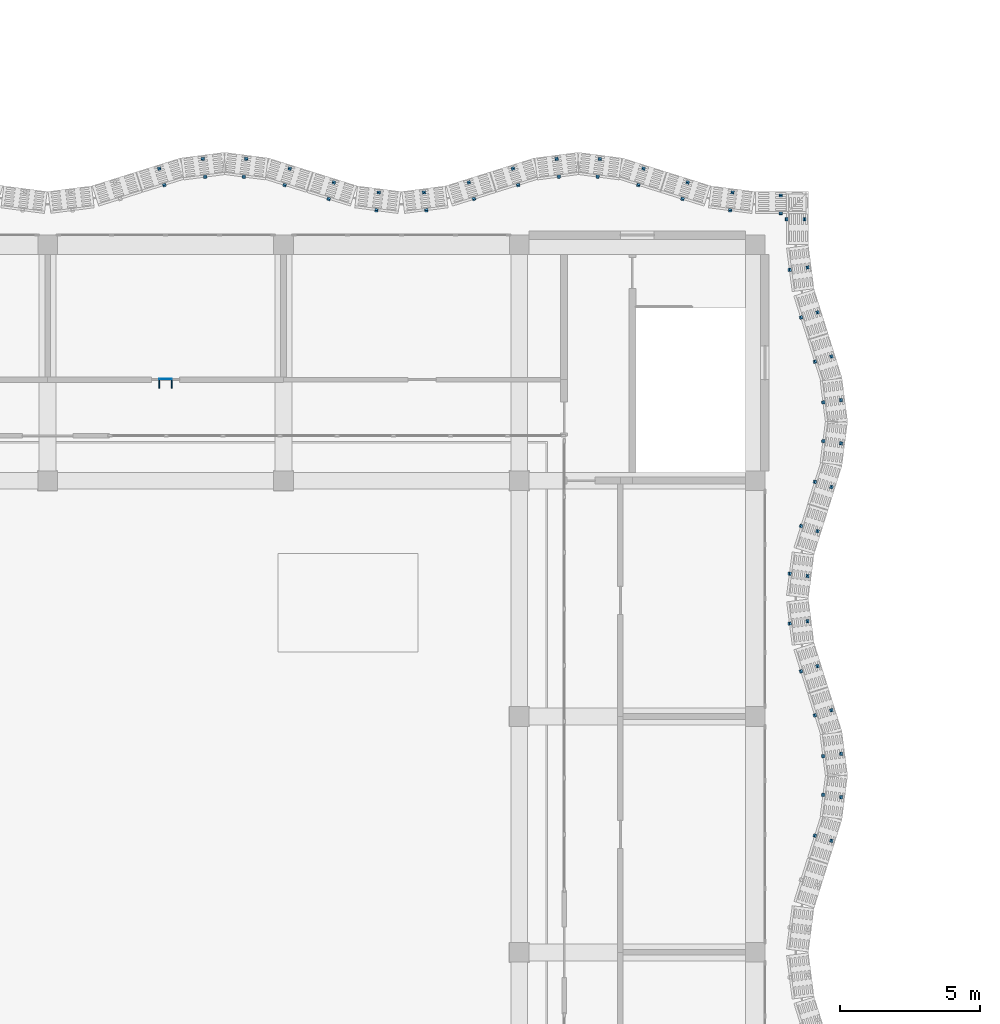
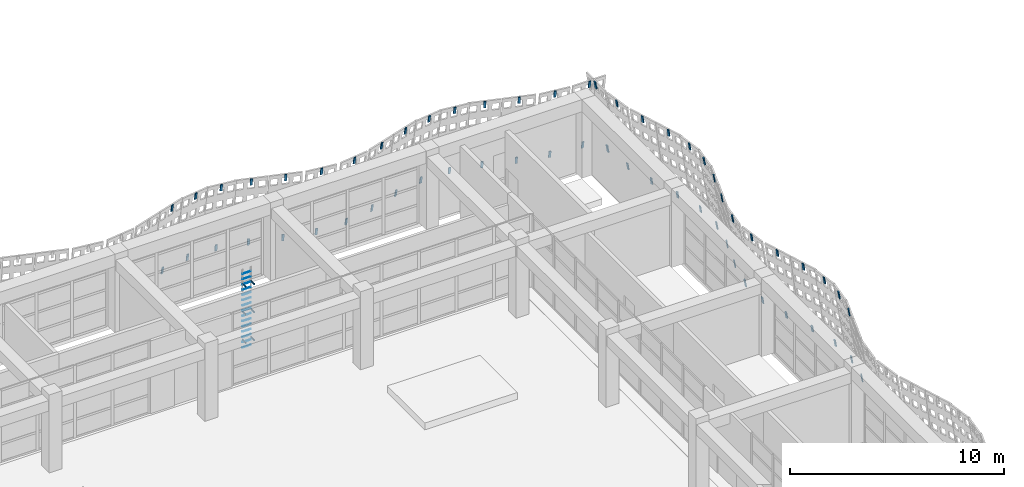
# One storey, part 57 of 85: 81 discrete accessories.
"""IFC4 building model written with IfcOpenShell, lengths in metres."""

from ifc_helpers import new_model, si_unit, direction, frame, origin, origin_2d, place, context, subcontext, project, spatial, rectangle, extrude, material, material_profile, profile_set, type_object, element, save


model = new_model("IFC4")

# Units and contexts
model_context = context("Model", 3, precision=1e-05, world=origin(), true_north=direction((0.0, 1.0)))
body_context = subcontext(model_context, "Body", "Model", "MODEL_VIEW")
ifc_project = project(units=[si_unit("LENGTHUNIT", "METRE"), si_unit("AREAUNIT", "SQUARE_METRE"), si_unit("VOLUMEUNIT", "CUBIC_METRE"), si_unit("PLANEANGLEUNIT", "RADIAN"), si_unit("MASSUNIT", "GRAM", prefix="KILO")], contexts=[model_context])

# Site, building, storey
site_placement = place(None, origin())
site = spatial("IfcSite", under=ifc_project, at=site_placement, CompositionType="ELEMENT")
building_placement = place(site_placement, origin())
building = spatial("IfcBuilding", under=site, at=building_placement, Name="Rain Tree Exposition and Congress Centre", CompositionType="ELEMENT")
storey_placement = place(building_placement, frame((0.0, 0.0, 15.0)))
storey = spatial("IfcBuildingStorey", under=building, at=storey_placement, Name="L03", CompositionType="ELEMENT", Elevation=15.0)

# Discrete accessories
ifc_material_1 = material(Name="Steel S355J2", Category="steel")
discrete_accessory_type_1 = type_object("IfcDiscreteAccessoryType", Name="Ladder bracket 40x300", PredefinedType="BRACKET", material=ifc_material_1)
for number, where, z_axis, x_axis, name in (
    (1, (29.175048828125, 45.45751953125, 0.77001953125), (0.0, 0.0, 1.0), (1.0, 0.0, 0.0), "wing/ladder/bracket/w1"),
    (2, (29.625, 45.45751953125, 0.77001953125), (0.0, 0.0, 1.0), (1.0, 0.0, 0.0), "wing/ladder/bracket/e1"),
    (3, (29.175048828125, 45.45751953125, 2.369873046875), (0.0, 0.0, 1.0), (1.0, 0.0, 0.0), "wing/ladder/bracket/w2"),
    (4, (29.625, 45.45751953125, 2.369873046875), (0.0, 0.0, 1.0), (1.0, 0.0, 0.0), "wing/ladder/bracket/e2"),
    (5, (29.175048828125, 45.45751953125, 3.969970703125), (0.0, 0.0, 1.0), (1.0, 0.0, 0.0), "wing/ladder/bracket/w3"),
    (6, (29.625, 45.45751953125, 3.969970703125), (0.0, 0.0, 1.0), (1.0, 0.0, 0.0), "wing/ladder/bracket/e3"),
):
    element("IfcDiscreteAccessory", number, at=place(storey_placement, frame(where, z_axis=z_axis, x_axis=x_axis)), inside=storey, type_object=discrete_accessory_type_1, Name=name, PredefinedType="BRACKET", context=body_context, shape_type="SweptSolid", body=[
        extrude(rectangle(XDim=0.0400390625, YDim=0.31494140625, at=origin_2d()), origin(), (0.0, 0.0, 1.0), 0.06005859375),
    ])
ifc_material_2 = material(Name="Steel S355J2", Category="steel")
discrete_accessory_type_2 = type_object("IfcDiscreteAccessoryType", Name="Ladder rung 20x450", PredefinedType="USERDEFINED", material=ifc_material_2)
for number, where, z_axis, x_axis, name in (
    (7, (29.39990234375, 45.6201171875, 0.340087890625), (0.0, 0.0, 1.0), (1.0, 0.0, 0.0), "wing/ladder/rung/01"),
    (8, (29.39990234375, 45.6201171875, 0.639892578125), (0.0, 0.0, 1.0), (1.0, 0.0, 0.0), "wing/ladder/rung/02"),
    (9, (29.39990234375, 45.6201171875, 0.93994140625), (0.0, 0.0, 1.0), (1.0, 0.0, 0.0), "wing/ladder/rung/03"),
    (10, (29.39990234375, 45.6201171875, 1.239990234375), (0.0, 0.0, 1.0), (1.0, 0.0, 0.0), "wing/ladder/rung/04"),
    (11, (29.39990234375, 45.6201171875, 1.5400390625), (0.0, 0.0, 1.0), (1.0, 0.0, 0.0), "wing/ladder/rung/05"),
    (12, (29.39990234375, 45.6201171875, 1.840087890625), (0.0, 0.0, 1.0), (1.0, 0.0, 0.0), "wing/ladder/rung/06"),
    (13, (29.39990234375, 45.6201171875, 2.139892578125), (0.0, 0.0, 1.0), (1.0, 0.0, 0.0), "wing/ladder/rung/07"),
    (14, (29.39990234375, 45.6201171875, 2.43994140625), (0.0, 0.0, 1.0), (1.0, 0.0, 0.0), "wing/ladder/rung/08"),
    (15, (29.39990234375, 45.6201171875, 2.739990234375), (0.0, 0.0, 1.0), (1.0, 0.0, 0.0), "wing/ladder/rung/09"),
    (16, (29.39990234375, 45.6201171875, 3.0400390625), (0.0, 0.0, 1.0), (1.0, 0.0, 0.0), "wing/ladder/rung/10"),
    (17, (29.39990234375, 45.6201171875, 3.340087890625), (0.0, 0.0, 1.0), (1.0, 0.0, 0.0), "wing/ladder/rung/11"),
    (18, (29.39990234375, 45.6201171875, 3.639892578125), (0.0, 0.0, 1.0), (1.0, 0.0, 0.0), "wing/ladder/rung/12"),
    (19, (29.39990234375, 45.6201171875, 3.93994140625), (0.0, 0.0, 1.0), (1.0, 0.0, 0.0), "wing/ladder/rung/13"),
    (20, (29.39990234375, 45.6201171875, 4.239990234375), (0.0, 0.0, 1.0), (1.0, 0.0, 0.0), "wing/ladder/rung/14"),
    (21, (29.39990234375, 45.6201171875, 4.5400390625), (0.0, 0.0, 1.0), (1.0, 0.0, 0.0), "wing/ladder/rung/15"),
):
    element("IfcDiscreteAccessory", number, at=place(storey_placement, frame(where, z_axis=z_axis, x_axis=x_axis)), inside=storey, type_object=discrete_accessory_type_2, Name=name, ObjectType="Ladder rung", PredefinedType="USERDEFINED", context=body_context, shape_type="SweptSolid", body=[
        extrude(rectangle(XDim=0.449951171875, YDim=0.02001953125, at=origin_2d()), origin(), (0.0, 0.0, 1.0), 0.02001953125),
    ])
ifc_material_3 = material(Name="Steel S355J2", Category="steel")
ifc_material_profile = material_profile(ifc_material_3, rectangle(XDim=0.1201171875, YDim=0.050048828125, at=origin_2d()), Name="Flat bar 120x50")
ifc_profile_set = profile_set([ifc_material_profile], Name="Steel S355J2")
discrete_accessory_type_3 = type_object("IfcDiscreteAccessoryType", Name="Screen bracket 120x50", PredefinedType="BRACKET", material=ifc_profile_set)
discrete_accessory_1_placement = place(storey_placement, frame((52.5595703125, 29.35009765625, 3.85107421875), z_axis=(-0.150738237635, 0.047601548727, 0.987426997946), x_axis=(-0.301131367937, -0.953582665134, 0.0)))
element("IfcDiscreteAccessory", 22, at=discrete_accessory_1_placement, inside=storey, type_object=discrete_accessory_type_3, Name="wing/bracket/L03/0531t", PredefinedType="BRACKET", context=body_context, shape_type="SweptSolid", body=[
    extrude(rectangle(XDim=0.1201171875, YDim=0.050048828125, at=origin_2d()), origin(), (0.0, 0.0, 1.0), 0.400146484375),
])
for number, where, z_axis, x_axis, name in (
    (23, (53.146484375, 29.16552734375, 0.00390625), (-0.150141745877, 0.047605919425, 0.987517661908), (-0.302243860734, -0.953230637699, 0.0), "wing/bracket/L03/0531b"),
    (24, (52.85888671875, 30.806884765625, 3.851318359375), (-0.162381270396, 0.021365956631, 0.986496740452), (-0.130454512571, -0.991454295543, 0.0), "wing/bracket/L03/0541t"),
    (25, (53.493408203125, 30.724365234375, 0.004150390625), (-0.162975541524, 0.021363835031, 0.986398783159), (-0.129974188098, -0.991517377774, 0.0), "wing/bracket/L03/0541b"),
    (26, (52.85888671875, 32.193115234375, 3.851318359375), (-0.162381270396, -0.021365956631, 0.986496740452), (0.130454512571, -0.991454295543, 0.0), "wing/bracket/L03/0551t"),
    (27, (53.493408203125, 32.275634765625, 0.004150390625), (-0.162975541524, -0.021363835031, 0.986398783159), (0.129974188098, -0.991517377774, 0.0), "wing/bracket/L03/0551b"),
):
    element("IfcDiscreteAccessory", number, at=place(storey_placement, frame(where, z_axis=z_axis, x_axis=x_axis)), inside=storey, type_object=discrete_accessory_type_3, Name=name, PredefinedType="BRACKET", context=body_context, shape_type="SweptSolid", body=[
        extrude(rectangle(XDim=0.1201171875, YDim=0.050048828125, at=origin_2d()), origin(), (0.0, 0.0, 1.0), 0.39990234375),
    ])
discrete_accessory_2_placement = place(storey_placement, frame((52.5595703125, 33.64990234375, 3.85107421875), z_axis=(-0.150738237635, -0.047601548727, 0.987426997946), x_axis=(0.301131367937, -0.953582665134, 0.0)))
element("IfcDiscreteAccessory", 28, at=discrete_accessory_2_placement, inside=storey, type_object=discrete_accessory_type_3, Name="wing/bracket/L03/0561t", PredefinedType="BRACKET", context=body_context, shape_type="SweptSolid", body=[
    extrude(rectangle(XDim=0.1201171875, YDim=0.050048828125, at=origin_2d()), origin(), (0.0, 0.0, 1.0), 0.400146484375),
])
for number, where, z_axis, x_axis, name in (
    (29, (53.146484375, 33.83447265625, 0.00390625), (-0.150141745877, -0.047605919425, 0.987517661908), (0.302243860734, -0.953230637699, 0.0), "wing/bracket/L03/0561b"),
    (30, (52.0654296875, 35.221435546875, 3.85107421875), (-0.150146080534, -0.046996943907, 0.987546171966), (0.298716747751, -0.954341817491, 0.0), "wing/bracket/L03/0571t"),
):
    element("IfcDiscreteAccessory", number, at=place(storey_placement, frame(where, z_axis=z_axis, x_axis=x_axis)), inside=storey, type_object=discrete_accessory_type_3, Name=name, PredefinedType="BRACKET", context=body_context, shape_type="SweptSolid", body=[
        extrude(rectangle(XDim=0.1201171875, YDim=0.050048828125, at=origin_2d()), origin(), (0.0, 0.0, 1.0), 0.39990234375),
    ])
discrete_accessory_3_placement = place(storey_placement, frame((52.652587890625, 35.406005859375, 0.00390625), z_axis=(-0.150742588713, -0.04699262887, 0.987455500152), x_axis=(0.297614686764, -0.954686073127, 0.0)))
element("IfcDiscreteAccessory", 31, at=discrete_accessory_3_placement, inside=storey, type_object=discrete_accessory_type_3, Name="wing/bracket/L03/0571b", PredefinedType="BRACKET", context=body_context, shape_type="SweptSolid", body=[
    extrude(rectangle(XDim=0.1201171875, YDim=0.050048828125, at=origin_2d()), origin(), (0.0, 0.0, 1.0), 0.400146484375),
])
for number, where, z_axis, x_axis, name in (
    (32, (51.664306640625, 36.91650390625, 3.851318359375), (-0.162975541524, -0.021363835031, 0.986398783159), (0.129974188098, -0.991517377774, 0.0), "wing/bracket/L03/0581t"),
    (33, (52.298583984375, 36.998779296875, 0.004150390625), (-0.162977636468, -0.020753706516, 0.986411462665), (0.12632075382, -0.991989449114, 0.0), "wing/bracket/L03/0581b"),
    (34, (51.664306640625, 38.68359375, 3.851318359375), (-0.162975541524, 0.021363835031, 0.986398783159), (-0.129974188098, -0.991517377774, 0.0), "wing/bracket/L03/0591t"),
    (35, (52.298583984375, 38.60107421875, 0.004150390625), (-0.162975541524, 0.021363835031, 0.986398783159), (-0.129974188098, -0.991517377774, 0.0), "wing/bracket/L03/0591b"),
    (36, (52.0654296875, 40.37841796875, 3.85107421875), (-0.150141745877, 0.047605919425, 0.987517661908), (-0.302243860734, -0.953230637699, 0.0), "wing/bracket/L03/0601t"),
):
    element("IfcDiscreteAccessory", number, at=place(storey_placement, frame(where, z_axis=z_axis, x_axis=x_axis)), inside=storey, type_object=discrete_accessory_type_3, Name=name, PredefinedType="BRACKET", context=body_context, shape_type="SweptSolid", body=[
        extrude(rectangle(XDim=0.1201171875, YDim=0.050048828125, at=origin_2d()), origin(), (0.0, 0.0, 1.0), 0.39990234375),
    ])
for number, where, z_axis, x_axis, name in (
    (37, (52.652587890625, 40.194091796875, 0.00390625), (-0.150742588713, 0.04699262887, 0.987455500152), (-0.297614686764, -0.954686073127, 0.0), "wing/bracket/L03/0601b"),
    (38, (52.5595703125, 41.9501953125, 3.85107421875), (-0.150742588713, 0.04699262887, 0.987455500152), (-0.297614686764, -0.954686073127, 0.0), "wing/bracket/L03/0611t"),
):
    element("IfcDiscreteAccessory", number, at=place(storey_placement, frame(where, z_axis=z_axis, x_axis=x_axis)), inside=storey, type_object=discrete_accessory_type_3, Name=name, PredefinedType="BRACKET", context=body_context, shape_type="SweptSolid", body=[
        extrude(rectangle(XDim=0.1201171875, YDim=0.050048828125, at=origin_2d()), origin(), (0.0, 0.0, 1.0), 0.400146484375),
    ])
for number, where, z_axis, x_axis, name in (
    (39, (53.146484375, 41.765625, 0.00390625), (-0.150141745877, 0.047605919425, 0.987517661908), (-0.302243860734, -0.953230637699, 0.0), "wing/bracket/L03/0611b"),
    (40, (52.85888671875, 43.406982421875, 3.851318359375), (-0.162383358115, 0.020755767579, 0.986509423736), (-0.126788023985, -0.991929834703, 0.0), "wing/bracket/L03/0621t"),
    (41, (53.493408203125, 43.324462890625, 0.004150390625), (-0.162975541524, 0.021363835031, 0.986398783159), (-0.129974188098, -0.991517377774, 0.0), "wing/bracket/L03/0621b"),
    (42, (52.85888671875, 44.79296875, 3.851318359375), (-0.162383358115, -0.020755767579, 0.986509423736), (0.126788023985, -0.991929834703, 0.0), "wing/bracket/L03/0631t"),
    (43, (53.493408203125, 44.87548828125, 0.004150390625), (-0.162977636468, -0.020753706516, 0.986411462665), (0.12632075382, -0.991989449114, 0.0), "wing/bracket/L03/0631b"),
):
    element("IfcDiscreteAccessory", number, at=place(storey_placement, frame(where, z_axis=z_axis, x_axis=x_axis)), inside=storey, type_object=discrete_accessory_type_3, Name=name, PredefinedType="BRACKET", context=body_context, shape_type="SweptSolid", body=[
        extrude(rectangle(XDim=0.1201171875, YDim=0.050048828125, at=origin_2d()), origin(), (0.0, 0.0, 1.0), 0.39990234375),
    ])
discrete_accessory_4_placement = place(storey_placement, frame((52.5595703125, 46.25, 3.85107421875), z_axis=(-0.150738237635, -0.047601548727, 0.987426997946), x_axis=(0.301131367937, -0.953582665134, 0.0)))
element("IfcDiscreteAccessory", 44, at=discrete_accessory_4_placement, inside=storey, type_object=discrete_accessory_type_3, Name="wing/bracket/L03/0641t", PredefinedType="BRACKET", context=body_context, shape_type="SweptSolid", body=[
    extrude(rectangle(XDim=0.1201171875, YDim=0.050048828125, at=origin_2d()), origin(), (0.0, 0.0, 1.0), 0.400146484375),
])
for number, where, z_axis, x_axis, name in (
    (45, (53.146484375, 46.434326171875, 0.00390625), (-0.150141745877, -0.047605919425, 0.987517661908), (0.302243860734, -0.953230637699, 0.0), "wing/bracket/L03/0641b"),
    (46, (52.0654296875, 47.821533203125, 3.85107421875), (-0.150141745877, -0.047605919425, 0.987517661908), (0.302243860734, -0.953230637699, 0.0), "wing/bracket/L03/0651t"),
):
    element("IfcDiscreteAccessory", number, at=place(storey_placement, frame(where, z_axis=z_axis, x_axis=x_axis)), inside=storey, type_object=discrete_accessory_type_3, Name=name, PredefinedType="BRACKET", context=body_context, shape_type="SweptSolid", body=[
        extrude(rectangle(XDim=0.1201171875, YDim=0.050048828125, at=origin_2d()), origin(), (0.0, 0.0, 1.0), 0.39990234375),
    ])
discrete_accessory_5_placement = place(storey_placement, frame((52.652587890625, 48.006103515625, 0.00390625), z_axis=(-0.150738237635, -0.047601548727, 0.987426997946), x_axis=(0.301131367937, -0.953582665134, 0.0)))
element("IfcDiscreteAccessory", 47, at=discrete_accessory_5_placement, inside=storey, type_object=discrete_accessory_type_3, Name="wing/bracket/L03/0651b", PredefinedType="BRACKET", context=body_context, shape_type="SweptSolid", body=[
    extrude(rectangle(XDim=0.1201171875, YDim=0.050048828125, at=origin_2d()), origin(), (0.0, 0.0, 1.0), 0.400146484375),
])
for number, where, z_axis, x_axis, name in (
    (48, (51.664306640625, 49.516357421875, 3.851318359375), (-0.162975541524, -0.021363835031, 0.986398783159), (0.129974188098, -0.991517377774, 0.0), "wing/bracket/L03/0661t"),
    (49, (52.298583984375, 49.598876953125, 0.004150390625), (-0.162977636468, -0.020753706516, 0.986411462665), (0.12632075382, -0.991989449114, 0.0), "wing/bracket/L03/0661b"),
):
    element("IfcDiscreteAccessory", number, at=place(storey_placement, frame(where, z_axis=z_axis, x_axis=x_axis)), inside=storey, type_object=discrete_accessory_type_3, Name=name, PredefinedType="BRACKET", context=body_context, shape_type="SweptSolid", body=[
        extrude(rectangle(XDim=0.1201171875, YDim=0.050048828125, at=origin_2d()), origin(), (0.0, 0.0, 1.0), 0.39990234375),
    ])
for number, where, z_axis, x_axis, name in (
    (50, (51.550048828125, 51.310302734375, 3.851318359375), (-0.165388563864, 0.0, 0.986228484147), (0.0, -1.0, 0.0), "wing/bracket/L03/0671t"),
    (51, (52.1953125, 51.310302734375, 0.004150390625), (-0.16598207031, 0.0, 0.986128770666), (0.0, -1.0, 0.0), "wing/bracket/L03/0671b"),
    (52, (51.310302734375, 51.550048828125, 3.851318359375), (0.0, -0.165388563864, 0.986228484147), (1.0, 0.0, 0.0), "wing/bracket/L03/0681t"),
    (53, (51.310302734375, 52.1953125, 0.004150390625), (0.0, -0.16598207031, 0.986128770666), (1.0, 0.0, 0.0), "wing/bracket/L03/0681b"),
):
    element("IfcDiscreteAccessory", number, at=place(storey_placement, frame(where, z_axis=z_axis, x_axis=x_axis)), inside=storey, type_object=discrete_accessory_type_3, Name=name, PredefinedType="BRACKET", context=body_context, shape_type="SweptSolid", body=[
        extrude(rectangle(XDim=0.1201171875, YDim=0.050048828125, at=origin_2d()), origin(), (0.0, 0.0, 1.0), 0.400146484375),
    ])
for number, where, z_axis, x_axis, name in (
    (54, (49.516357421875, 51.664306640625, 3.851318359375), (-0.021363835031, -0.162975541524, 0.986398783159), (0.991517377774, -0.129974188098, 0.0), "wing/bracket/L03/0691t"),
    (55, (49.598876953125, 52.298583984375, 0.004150390625), (-0.020753706516, -0.162977636468, 0.986411462665), (0.991989449114, -0.12632075382, 0.0), "wing/bracket/L03/0691b"),
    (56, (47.821533203125, 52.0654296875, 3.85107421875), (-0.047605919425, -0.150141745877, 0.987517661908), (0.953230637699, -0.302243860734, 0.0), "wing/bracket/L03/0701t"),
):
    element("IfcDiscreteAccessory", number, at=place(storey_placement, frame(where, z_axis=z_axis, x_axis=x_axis)), inside=storey, type_object=discrete_accessory_type_3, Name=name, PredefinedType="BRACKET", context=body_context, shape_type="SweptSolid", body=[
        extrude(rectangle(XDim=0.1201171875, YDim=0.050048828125, at=origin_2d()), origin(), (0.0, 0.0, 1.0), 0.39990234375),
    ])
for number, where, z_axis, x_axis, name in (
    (57, (48.006103515625, 52.652587890625, 0.00390625), (-0.047601548727, -0.150738237635, 0.987426997946), (0.953582665134, -0.301131367937, 0.0), "wing/bracket/L03/0701b"),
    (58, (46.25, 52.5595703125, 3.85107421875), (-0.047601548727, -0.150738237635, 0.987426997946), (0.953582665134, -0.301131367937, 0.0), "wing/bracket/L03/0711t"),
):
    element("IfcDiscreteAccessory", number, at=place(storey_placement, frame(where, z_axis=z_axis, x_axis=x_axis)), inside=storey, type_object=discrete_accessory_type_3, Name=name, PredefinedType="BRACKET", context=body_context, shape_type="SweptSolid", body=[
        extrude(rectangle(XDim=0.1201171875, YDim=0.050048828125, at=origin_2d()), origin(), (0.0, 0.0, 1.0), 0.400146484375),
    ])
for number, where, z_axis, x_axis, name in (
    (59, (46.434326171875, 53.146484375, 0.00390625), (-0.047605919425, -0.150141745877, 0.987517661908), (0.953230637699, -0.302243860734, 0.0), "wing/bracket/L03/0711b"),
    (60, (44.79296875, 52.85888671875, 3.851318359375), (-0.020755767579, -0.162383358115, 0.986509423736), (0.991929834703, -0.126788023985, 0.0), "wing/bracket/L03/0721t"),
    (61, (44.87548828125, 53.493408203125, 0.004150390625), (-0.020753706516, -0.162977636468, 0.986411462665), (0.991989449114, -0.12632075382, 0.0), "wing/bracket/L03/0721b"),
    (62, (43.406982421875, 52.85888671875, 3.851318359375), (0.020755767579, -0.162383358115, 0.986509423736), (0.991929834703, 0.126788023985, 0.0), "wing/bracket/L03/0731t"),
    (63, (43.324462890625, 53.493408203125, 0.004150390625), (0.021363835031, -0.162975541524, 0.986398783159), (0.991517377774, 0.129974188098, 0.0), "wing/bracket/L03/0731b"),
):
    element("IfcDiscreteAccessory", number, at=place(storey_placement, frame(where, z_axis=z_axis, x_axis=x_axis)), inside=storey, type_object=discrete_accessory_type_3, Name=name, PredefinedType="BRACKET", context=body_context, shape_type="SweptSolid", body=[
        extrude(rectangle(XDim=0.1201171875, YDim=0.050048828125, at=origin_2d()), origin(), (0.0, 0.0, 1.0), 0.39990234375),
    ])
discrete_accessory_6_placement = place(storey_placement, frame((41.9501953125, 52.5595703125, 3.85107421875), z_axis=(0.04699262887, -0.150742588713, 0.987455500152), x_axis=(0.954686073127, 0.297614686764, 0.0)))
element("IfcDiscreteAccessory", 64, at=discrete_accessory_6_placement, inside=storey, type_object=discrete_accessory_type_3, Name="wing/bracket/L03/0741t", PredefinedType="BRACKET", context=body_context, shape_type="SweptSolid", body=[
    extrude(rectangle(XDim=0.1201171875, YDim=0.050048828125, at=origin_2d()), origin(), (0.0, 0.0, 1.0), 0.400146484375),
])
for number, where, z_axis, x_axis, name in (
    (65, (41.765625, 53.146484375, 0.00390625), (0.047605919425, -0.150141745877, 0.987517661908), (0.953230637699, 0.302243860734, 0.0), "wing/bracket/L03/0741b"),
    (66, (40.37841796875, 52.0654296875, 3.85107421875), (0.047605919425, -0.150141745877, 0.987517661908), (0.953230637699, 0.302243860734, 0.0), "wing/bracket/L03/0751t"),
):
    element("IfcDiscreteAccessory", number, at=place(storey_placement, frame(where, z_axis=z_axis, x_axis=x_axis)), inside=storey, type_object=discrete_accessory_type_3, Name=name, PredefinedType="BRACKET", context=body_context, shape_type="SweptSolid", body=[
        extrude(rectangle(XDim=0.1201171875, YDim=0.050048828125, at=origin_2d()), origin(), (0.0, 0.0, 1.0), 0.39990234375),
    ])
discrete_accessory_7_placement = place(storey_placement, frame((40.194091796875, 52.652587890625, 0.00390625), z_axis=(0.04699262887, -0.150742588713, 0.987455500152), x_axis=(0.954686073127, 0.297614686764, 0.0)))
element("IfcDiscreteAccessory", 67, at=discrete_accessory_7_placement, inside=storey, type_object=discrete_accessory_type_3, Name="wing/bracket/L03/0751b", PredefinedType="BRACKET", context=body_context, shape_type="SweptSolid", body=[
    extrude(rectangle(XDim=0.1201171875, YDim=0.050048828125, at=origin_2d()), origin(), (0.0, 0.0, 1.0), 0.400146484375),
])
for number, where, z_axis, x_axis, name in (
    (68, (38.68359375, 51.664306640625, 3.851318359375), (0.021363835031, -0.162975541524, 0.986398783159), (0.991517377774, 0.129974188098, 0.0), "wing/bracket/L03/0761t"),
    (69, (38.60107421875, 52.298583984375, 0.004150390625), (0.021363835031, -0.162975541524, 0.986398783159), (0.991517377774, 0.129974188098, 0.0), "wing/bracket/L03/0761b"),
    (70, (36.91650390625, 51.664306640625, 3.851318359375), (-0.021363835031, -0.162975541524, 0.986398783159), (0.991517377774, -0.129974188098, 0.0), "wing/bracket/L03/0771t"),
    (71, (36.998779296875, 52.298583984375, 0.004150390625), (-0.020753706516, -0.162977636468, 0.986411462665), (0.991989449114, -0.12632075382, 0.0), "wing/bracket/L03/0771b"),
    (72, (35.221435546875, 52.0654296875, 3.85107421875), (-0.046996943907, -0.150146080534, 0.987546171966), (0.954341817491, -0.298716747751, 0.0), "wing/bracket/L03/0781t"),
):
    element("IfcDiscreteAccessory", number, at=place(storey_placement, frame(where, z_axis=z_axis, x_axis=x_axis)), inside=storey, type_object=discrete_accessory_type_3, Name=name, PredefinedType="BRACKET", context=body_context, shape_type="SweptSolid", body=[
        extrude(rectangle(XDim=0.1201171875, YDim=0.050048828125, at=origin_2d()), origin(), (0.0, 0.0, 1.0), 0.39990234375),
    ])
for number, where, z_axis, x_axis, name in (
    (73, (35.406005859375, 52.652587890625, 0.00390625), (-0.04699262887, -0.150742588713, 0.987455500152), (0.954686073127, -0.297614686764, 0.0), "wing/bracket/L03/0781b"),
    (74, (33.64990234375, 52.5595703125, 3.85107421875), (-0.047601548727, -0.150738237635, 0.987426997946), (0.953582665134, -0.301131367937, 0.0), "wing/bracket/L03/0791t"),
):
    element("IfcDiscreteAccessory", number, at=place(storey_placement, frame(where, z_axis=z_axis, x_axis=x_axis)), inside=storey, type_object=discrete_accessory_type_3, Name=name, PredefinedType="BRACKET", context=body_context, shape_type="SweptSolid", body=[
        extrude(rectangle(XDim=0.1201171875, YDim=0.050048828125, at=origin_2d()), origin(), (0.0, 0.0, 1.0), 0.400146484375),
    ])
for number, where, z_axis, x_axis, name in (
    (75, (33.83447265625, 53.146484375, 0.00390625), (-0.047605919425, -0.150141745877, 0.987517661908), (0.953230637699, -0.302243860734, 0.0), "wing/bracket/L03/0791b"),
    (76, (32.193115234375, 52.85888671875, 3.851318359375), (-0.021365956631, -0.162381270396, 0.986496740452), (0.991454295543, -0.130454512571, 0.0), "wing/bracket/L03/0801t"),
    (77, (32.275634765625, 53.493408203125, 0.004150390625), (-0.021363835031, -0.162975541524, 0.986398783159), (0.991517377774, -0.129974188098, 0.0), "wing/bracket/L03/0801b"),
    (78, (30.806884765625, 52.85888671875, 3.851318359375), (0.021365956631, -0.162381270396, 0.986496740452), (0.991454295543, 0.130454512571, 0.0), "wing/bracket/L03/0811t"),
    (79, (30.724365234375, 53.493408203125, 0.004150390625), (0.021363835031, -0.162975541524, 0.986398783159), (0.991517377774, 0.129974188098, 0.0), "wing/bracket/L03/0811b"),
):
    element("IfcDiscreteAccessory", number, at=place(storey_placement, frame(where, z_axis=z_axis, x_axis=x_axis)), inside=storey, type_object=discrete_accessory_type_3, Name=name, PredefinedType="BRACKET", context=body_context, shape_type="SweptSolid", body=[
        extrude(rectangle(XDim=0.1201171875, YDim=0.050048828125, at=origin_2d()), origin(), (0.0, 0.0, 1.0), 0.39990234375),
    ])
discrete_accessory_8_placement = place(storey_placement, frame((29.35009765625, 52.5595703125, 3.85107421875), z_axis=(0.047601548727, -0.150738237635, 0.987426997946), x_axis=(0.953582665134, 0.301131367937, 0.0)))
element("IfcDiscreteAccessory", 80, at=discrete_accessory_8_placement, inside=storey, type_object=discrete_accessory_type_3, Name="wing/bracket/L03/0821t", PredefinedType="BRACKET", context=body_context, shape_type="SweptSolid", body=[
    extrude(rectangle(XDim=0.1201171875, YDim=0.050048828125, at=origin_2d()), origin(), (0.0, 0.0, 1.0), 0.400146484375),
])
discrete_accessory_9_placement = place(storey_placement, frame((29.16552734375, 53.146484375, 0.00390625), z_axis=(0.047605919425, -0.150141745877, 0.987517661908), x_axis=(0.953230637699, 0.302243860734, 0.0)))
element("IfcDiscreteAccessory", 81, at=discrete_accessory_9_placement, inside=storey, type_object=discrete_accessory_type_3, Name="wing/bracket/L03/0821b", PredefinedType="BRACKET", context=body_context, shape_type="SweptSolid", body=[
    extrude(rectangle(XDim=0.1201171875, YDim=0.050048828125, at=origin_2d()), origin(), (0.0, 0.0, 1.0), 0.39990234375),
])

save(model, "model.ifc")
